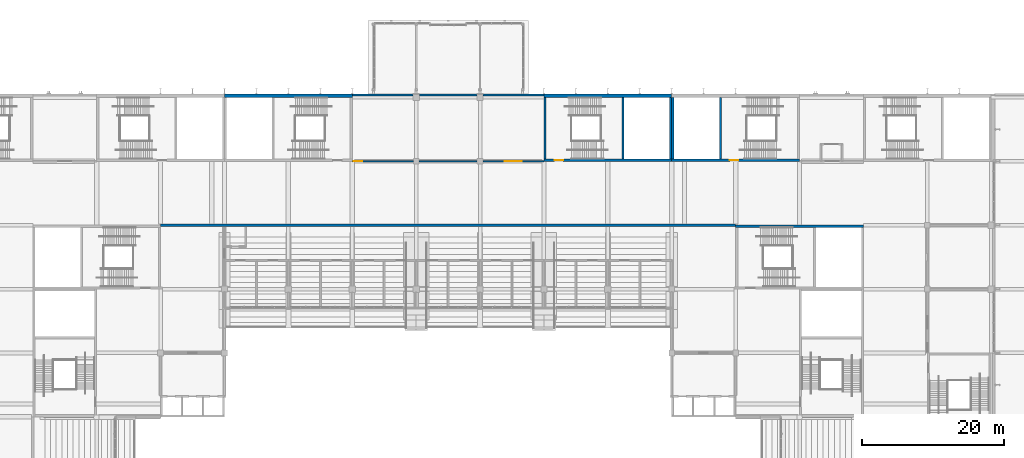
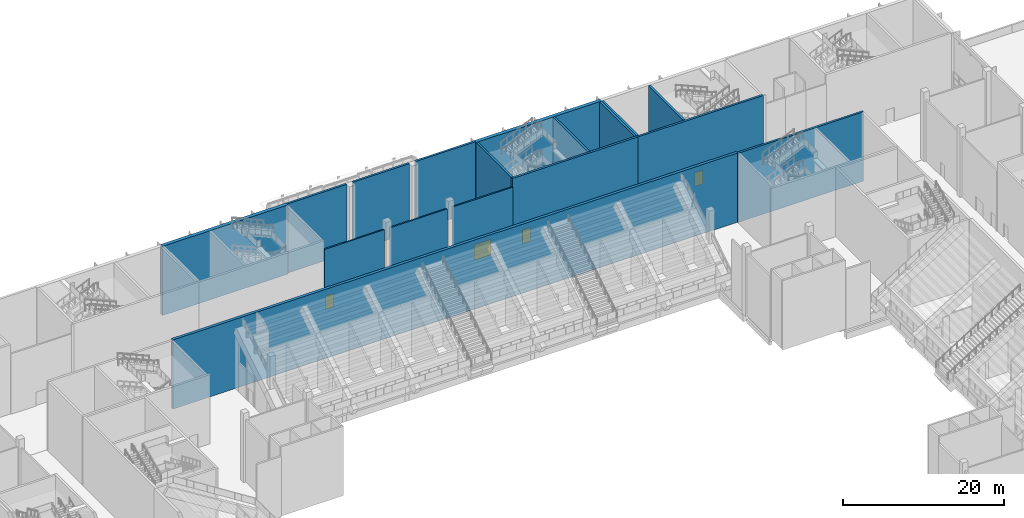
# One storey, part 94 of 182: 17 walls, 4 doors, 4 openings.
"""IFC4 building model written with IfcOpenShell, lengths in metres."""

from ifc_helpers import new_model, si_unit, direction, frame, frame_2d, origin, place, context, subcontext, project, spatial, rectangle, extrude, material, layer, layer_set, type_object, element, fill, save


model = new_model("IFC4")

# Units and contexts
model_context = context("Model", 3, precision=1e-05, world=origin(), true_north=direction((0.0, 1.0)))
body_context = subcontext(model_context, "Body", "Model", "MODEL_VIEW")
ifc_project = project(units=[si_unit("LENGTHUNIT", "METRE"), si_unit("AREAUNIT", "SQUARE_METRE"), si_unit("VOLUMEUNIT", "CUBIC_METRE"), si_unit("PLANEANGLEUNIT", "RADIAN"), si_unit("MASSUNIT", "GRAM", prefix="KILO")], contexts=[model_context])

# Site, building, storey
site_placement = place(None, origin())
site = spatial("IfcSite", under=ifc_project, at=site_placement, CompositionType="ELEMENT")
building_placement = place(site_placement, origin())
building = spatial("IfcBuilding", under=site, at=building_placement, Name="Silverbay Arena", CompositionType="ELEMENT")
storey_placement = place(building_placement, frame((0.0, 0.0, 11.5)))
storey = spatial("IfcBuildingStorey", under=building, at=storey_placement, Name="L02", CompositionType="ELEMENT", Elevation=11.5)

# Walls
ifc_material_1 = material(Name="Concrete Grade C45 precast, light finish", Category="concrete")
ifc_layer_1 = layer(ifc_material_1, 0.300048828125)
ifc_layer_set_1 = layer_set([ifc_layer_1], Name="Concrete Grade C45 precast, light finish")
wall_type_1 = type_object("IfcWallType", Name="Cladded external wall 300", PredefinedType="SOLIDWALL", material=ifc_layer_set_1)
wall_1_placement = place(storey_placement, frame((125.550048828125, 144.35009765625, 0.0), z_axis=(0.0, 0.0, 1.0), x_axis=(-1.0, 0.0, 0.0)))
element("IfcWall", 1, at=wall_1_placement, inside=storey, type_object=wall_type_1, Name="North external wall L02 bay 8", PredefinedType="SOLIDWALL", context=body_context, shape_type="SweptSolid", body=[
    extrude(rectangle(XDim=8.550048828125, YDim=0.300048828125, at=frame_2d((4.27490234375, 0.0))), origin(), (0.0, 0.0, 1.0), 10.5),
])
wall_2_placement = place(storey_placement, frame((134.550048828125, 144.35009765625, 0.0), z_axis=(0.0, 0.0, 1.0), x_axis=(-1.0, 0.0, 0.0)))
element("IfcWall", 2, at=wall_2_placement, inside=storey, type_object=wall_type_1, Name="North external wall L02 bay 9", PredefinedType="SOLIDWALL", context=body_context, shape_type="SweptSolid", body=[
    extrude(rectangle(XDim=8.10009765625, YDim=0.300048828125, at=frame_2d((4.050048828125, 0.0))), origin(), (0.0, 0.0, 1.0), 10.5),
])
wall_3_placement = place(storey_placement, frame((144.0, 144.35009765625, 0.0), z_axis=(0.0, 0.0, 1.0), x_axis=(-1.0, 0.0, 0.0)))
element("IfcWall", 3, at=wall_3_placement, inside=storey, type_object=wall_type_1, Name="North external wall L02 bay 10", PredefinedType="SOLIDWALL", context=body_context, shape_type="SweptSolid", body=[
    extrude(rectangle(XDim=8.550048828125, YDim=0.300048828125, at=frame_2d((4.27490234375, 0.0))), origin(), (0.0, 0.0, 1.0), 10.5),
])

# Wall, opening, door
ifc_material_2 = material(Name="Concrete Grade C45", Category="concrete")
ifc_layer_2 = layer(ifc_material_2, 0.300048828125)
ifc_layer_set_2 = layer_set([ifc_layer_2], Name="Concrete Grade C45")
wall_type_2 = type_object("IfcWallType", Name="Core wall RC 300 EI 120", PredefinedType="SHEAR", material=ifc_layer_set_2)
wall_4_placement = place(storey_placement, frame((144.0, 135.14990234375, 0.0), z_axis=(0.0, 0.0, 1.0), x_axis=(1.0, 0.0, 0.0)))
wall_4 = element("IfcWall", 4, at=wall_4_placement, inside=storey, type_object=wall_type_2, Name="Core wall ST-N3 L02 door side", PredefinedType="SHEAR", context=body_context, shape_type="SweptSolid", body=[
    extrude(rectangle(XDim=18.0, YDim=0.300048828125, at=frame_2d((9.0, 0.0))), origin(), (0.0, 0.0, 1.0), 10.5),
])
opening_1_placement = place(wall_4_placement, frame((1.5, 0.0, 0.0)))
opening_1 = element("IfcOpeningElement", 5, at=opening_1_placement, cuts=wall_4, Name="Opening L02-081", PredefinedType="OPENING", context=body_context, shape_type="SweptSolid", body=[
    extrude(rectangle(XDim=1.199951171875, YDim=2.10009765625, at=frame_2d((0.60009765625, 1.050048828125))), frame((0.0, 0.16015625, 0.0), z_axis=(0.0, -1.0, 0.0), x_axis=(1.0, 0.0, 0.0)), (0.0, 0.0, 1.0), 0.320068359375),
])
ifc_material_3 = material(Name="Steel fire door", Category="steel")
door_type_1 = type_object("IfcDoorType", Name="Stair door 1200 x 2100 fire door", OperationType="SINGLE_SWING_LEFT", PredefinedType="DOOR", material=ifc_material_3)
door_1_placement = place(opening_1_placement, origin())
door_1 = element("IfcDoor", 6, at=door_1_placement, inside=storey, type_object=door_type_1, Name="Stair door ST-N3 L02", OperationType="SINGLE_SWING_LEFT", OverallHeight=2.10009765625, OverallWidth=1.199951171875, PredefinedType="DOOR", context=body_context, shape_type="SweptSolid", body=[
    extrude(rectangle(XDim=1.199951171875, YDim=2.10009765625, at=frame_2d((0.60009765625, 1.050048828125))), frame((0.0, 0.02490234375, 0.0), z_axis=(0.0, -1.0, 0.0), x_axis=(1.0, 0.0, 0.0)), (0.0, 0.0, 1.0), 0.050048828125),
])
fill(opening_1, door_1)

# Walls
for number, where, z_axis, x_axis, name in (
    (7, (144.14990234375, 135.300048828125, 0.0), (0.0, 0.0, 1.0), (0.0, 1.0, 0.0), "Core wall ST-N3 L02 end 1"),
    (8, (161.85009765625, 135.300048828125, 0.0), (0.0, 0.0, 1.0), (0.0, 1.0, 0.0), "Core wall ST-N3 L02 end 2"),
    (9, (155.14990234375, 135.300048828125, 0.0), (0.0, 0.0, 1.0), (0.0, 1.0, 0.0), "Core wall ST-N3 L02 stair enclosure"),
):
    element("IfcWall", number, at=place(storey_placement, frame(where, z_axis=z_axis, x_axis=x_axis)), inside=storey, type_object=wall_type_2, Name=name, PredefinedType="SHEAR", context=body_context, shape_type="SweptSolid", body=[
        extrude(rectangle(XDim=8.699951171875, YDim=0.300048828125, at=frame_2d((4.35009765625, 0.0))), origin(), (0.0, 0.0, 1.0), 10.5),
    ])

# Wall, opening, door
wall_5_placement = place(storey_placement, frame((180.0, 135.14990234375, 0.0), z_axis=(0.0, 0.0, 1.0), x_axis=(-1.0, 0.0, 0.0)))
wall_5 = element("IfcWall", 10, at=wall_5_placement, inside=storey, type_object=wall_type_2, Name="Core wall ST-N4 L02 door side", PredefinedType="SHEAR", context=body_context, shape_type="SweptSolid", body=[
    extrude(rectangle(XDim=18.0, YDim=0.300048828125, at=frame_2d((9.0, 0.0))), origin(), (0.0, 0.0, 1.0), 10.5),
])
opening_2_placement = place(wall_5_placement, frame((8.60009765625, 0.0, 0.0)))
opening_2 = element("IfcOpeningElement", 11, at=opening_2_placement, cuts=wall_5, Name="Opening L02-082", PredefinedType="OPENING", context=body_context, shape_type="SweptSolid", body=[
    extrude(rectangle(XDim=1.199951171875, YDim=2.10009765625, at=frame_2d((0.60009765625, 1.050048828125))), frame((0.0, 0.16015625, 0.0), z_axis=(0.0, -1.0, 0.0), x_axis=(1.0, 0.0, 0.0)), (0.0, 0.0, 1.0), 0.320068359375),
])
door_2_placement = place(opening_2_placement, frame((1.199951171875, 0.0, 0.0), z_axis=(0.0, 0.0, 1.0), x_axis=(-1.0, 0.0, 0.0)))
door_2 = element("IfcDoor", 12, at=door_2_placement, inside=storey, type_object=door_type_1, Name="Stair door ST-N4 L02", OperationType="SINGLE_SWING_LEFT", OverallHeight=2.10009765625, OverallWidth=1.199951171875, PredefinedType="DOOR", context=body_context, shape_type="SweptSolid", body=[
    extrude(rectangle(XDim=1.199951171875, YDim=2.10009765625, at=frame_2d((0.60009765625, 1.050048828125))), frame((0.0, 0.02490234375, 0.0), z_axis=(0.0, -1.0, 0.0), x_axis=(1.0, 0.0, 0.0)), (0.0, 0.0, 1.0), 0.050048828125),
])
fill(opening_2, door_2)

# Walls
for number, where, z_axis, x_axis, name in (
    (13, (162.14990234375, 135.300048828125, 0.0), (0.0, 0.0, 1.0), (0.0, 1.0, 0.0), "Core wall ST-N4 L02 end 2"),
    (14, (168.85009765625, 135.300048828125, 0.0), (0.0, 0.0, 1.0), (0.0, 1.0, 0.0), "Core wall ST-N4 L02 stair enclosure"),
):
    element("IfcWall", number, at=place(storey_placement, frame(where, z_axis=z_axis, x_axis=x_axis)), inside=storey, type_object=wall_type_2, Name=name, PredefinedType="SHEAR", context=body_context, shape_type="SweptSolid", body=[
        extrude(rectangle(XDim=8.699951171875, YDim=0.300048828125, at=frame_2d((4.35009765625, 0.0))), origin(), (0.0, 0.0, 1.0), 10.5),
    ])
wall_6_placement = place(storey_placement, frame((171.0, 125.85009765625, 0.0), z_axis=(0.0, 0.0, 1.0), x_axis=(1.0, 0.0, 0.0)))
element("IfcWall", 15, at=wall_6_placement, inside=storey, type_object=wall_type_2, Name="Core wall ST-NE1 L02 far side", PredefinedType="SHEAR", context=body_context, shape_type="SweptSolid", body=[
    extrude(rectangle(XDim=18.0, YDim=0.300048828125, at=frame_2d((9.0, 0.0))), origin(), (0.0, 0.0, 1.0), 10.5),
])
ifc_material_4 = material(Name="Concrete Grade C45", Category="concrete")
ifc_layer_3 = layer(ifc_material_4, 0.5)
ifc_layer_set_3 = layer_set([ifc_layer_3], Name="Concrete Grade C45")
wall_type_3 = type_object("IfcWallType", Name="Core wall RC 500 external EI 120", PredefinedType="SHEAR", material=ifc_layer_set_3)
for number, where, z_axis, x_axis, name in (
    (16, (117.0, 144.25, 0.0), (0.0, 0.0, 1.0), (-1.0, 0.0, 0.0), "Core wall ST-N2 L02 facade side"),
    (17, (144.0, 144.25, 0.0), (0.0, 0.0, 1.0), (1.0, 0.0, 0.0), "Core wall ST-N3 L02 facade side"),
):
    element("IfcWall", number, at=place(storey_placement, frame(where, z_axis=z_axis, x_axis=x_axis)), inside=storey, type_object=wall_type_3, Name=name, PredefinedType="SHEAR", context=body_context, shape_type="SweptSolid", body=[
        extrude(rectangle(XDim=18.0, YDim=0.5, at=frame_2d((9.0, 0.0))), origin(), (0.0, 0.0, 1.0), 10.5),
    ])

# Wall, opening, door
ifc_material_5 = material(Name="Masonry blockwork partition", Category="masonry")
ifc_layer_4 = layer(ifc_material_5, 0.199951171875)
ifc_layer_set_4 = layer_set([ifc_layer_4], Name="Masonry blockwork partition")
wall_type_4 = type_object("IfcWallType", Name="Partition 200 EI 120", PredefinedType="PARTITIONING", material=ifc_layer_set_4)
wall_7_placement = place(storey_placement, frame((135.39990234375, 135.0, 0.0), z_axis=(0.0, 0.0, 1.0), x_axis=(1.0, 0.0, 0.0)))
wall_7 = element("IfcWall", 18, at=wall_7_placement, inside=storey, type_object=wall_type_4, Name="Partition wall", PredefinedType="PARTITIONING", context=body_context, shape_type="SweptSolid", body=[
    extrude(rectangle(XDim=8.60009765625, YDim=0.199951171875, at=frame_2d((4.300048828125, 0.0))), origin(), (0.0, 0.0, 1.0), 9.25),
])
opening_3_placement = place(wall_7_placement, frame((3.10009765625, 0.0, 0.0)))
opening_3 = element("IfcOpeningElement", 19, at=opening_3_placement, cuts=wall_7, Name="Opening L02-005", PredefinedType="OPENING", context=body_context, shape_type="SweptSolid", body=[
    extrude(rectangle(XDim=2.39990234375, YDim=2.39990234375, at=frame_2d((1.199951171875, 1.199951171875))), frame((0.0, 0.10986328125, 0.0), z_axis=(0.0, -1.0, 0.0), x_axis=(1.0, 0.0, 0.0)), (0.0, 0.0, 1.0), 0.219970703125),
])
ifc_material_6 = material(Name="Steel faced timber", Category="steel")
door_type_2 = type_object("IfcDoorType", Name="Double leaf door 2400 x 2400 FD120", OperationType="DOUBLE_DOOR_DOUBLE_SWING", PredefinedType="DOOR", material=ifc_material_6)
door_3_placement = place(opening_3_placement, frame((2.39990234375, 0.0, 0.0), z_axis=(0.0, 0.0, 1.0), x_axis=(-1.0, 0.0, 0.0)))
door_3 = element("IfcDoor", 20, at=door_3_placement, inside=storey, type_object=door_type_2, Name="Door L02-005", OperationType="DOUBLE_DOOR_DOUBLE_SWING", OverallHeight=2.39990234375, OverallWidth=2.39990234375, PredefinedType="DOOR", context=body_context, shape_type="SweptSolid", body=[
    extrude(rectangle(XDim=2.39990234375, YDim=2.39990234375, at=frame_2d((1.199951171875, 1.199951171875))), frame((0.0, 0.02490234375, 0.0), z_axis=(0.0, -1.0, 0.0), x_axis=(1.0, 0.0, 0.0)), (0.0, 0.0, 1.0), 0.050048828125),
])
fill(opening_3, door_3)

# Wall
wall_8_placement = place(storey_placement, frame((126.39990234375, 135.0, 0.0), z_axis=(0.0, 0.0, 1.0), x_axis=(1.0, 0.0, 0.0)))
element("IfcWall", 21, at=wall_8_placement, inside=storey, type_object=wall_type_4, Name="Partition wall", PredefinedType="PARTITIONING", context=body_context, shape_type="SweptSolid", body=[
    extrude(rectangle(XDim=8.2001953125, YDim=0.199951171875, at=frame_2d((4.10009765625, 0.0))), origin(), (0.0, 0.0, 1.0), 9.25),
])

# Wall, opening, door
wall_9_placement = place(storey_placement, frame((117.0, 135.0, 0.0), z_axis=(0.0, 0.0, 1.0), x_axis=(1.0, 0.0, 0.0)))
wall_9 = element("IfcWall", 22, at=wall_9_placement, inside=storey, type_object=wall_type_4, Name="Partition wall", PredefinedType="PARTITIONING", context=body_context, shape_type="SweptSolid", body=[
    extrude(rectangle(XDim=8.60009765625, YDim=0.199951171875, at=frame_2d((4.300048828125, 0.0))), origin(), (0.0, 0.0, 1.0), 9.25),
])
opening_4_placement = place(wall_9_placement, frame((0.199951171875, 0.0, 0.0)))
opening_4 = element("IfcOpeningElement", 23, at=opening_4_placement, cuts=wall_9, Name="Opening L02-068", PredefinedType="OPENING", context=body_context, shape_type="SweptSolid", body=[
    extrude(rectangle(XDim=1.199951171875, YDim=2.10009765625, at=frame_2d((0.60009765625, 1.050048828125))), frame((0.0, 0.10986328125, 0.0), z_axis=(0.0, -1.0, 0.0), x_axis=(1.0, 0.0, 0.0)), (0.0, 0.0, 1.0), 0.219970703125),
])
ifc_material_7 = material(Name="Steel faced timber", Category="steel")
door_type_3 = type_object("IfcDoorType", Name="Double leaf door 1200 x 2100 FD120", OperationType="DOUBLE_DOOR_DOUBLE_SWING", PredefinedType="DOOR", material=ifc_material_7)
door_4_placement = place(opening_4_placement, frame((1.199951171875, 0.0, 0.0), z_axis=(0.0, 0.0, 1.0), x_axis=(-1.0, 0.0, 0.0)))
door_4 = element("IfcDoor", 24, at=door_4_placement, inside=storey, type_object=door_type_3, Name="Door L02-068", OperationType="DOUBLE_DOOR_DOUBLE_SWING", OverallHeight=2.10009765625, OverallWidth=1.199951171875, PredefinedType="DOOR", context=body_context, shape_type="SweptSolid", body=[
    extrude(rectangle(XDim=1.199951171875, YDim=2.10009765625, at=frame_2d((0.60009765625, 1.050048828125))), frame((0.0, 0.02490234375, 0.0), z_axis=(0.0, -1.0, 0.0), x_axis=(1.0, 0.0, 0.0)), (0.0, 0.0, 1.0), 0.050048828125),
])
fill(opening_4, door_4)

# Wall
ifc_material_8 = material(Name="Concrete Grade C45", Category="concrete")
ifc_layer_5 = layer(ifc_material_8, 0.39990234375)
ifc_layer_set_5 = layer_set([ifc_layer_5], Name="Concrete Grade C45")
wall_type_5 = type_object("IfcWallType", Name="RC back wall 400 EI 120", PredefinedType="SOLIDWALL", material=ifc_layer_set_5)
wall_10_placement = place(storey_placement, frame((171.0, 126.0, 0.0), z_axis=(0.0, 0.0, 1.0), x_axis=(-1.0, 0.0, 0.0)))
element("IfcWall", 25, at=wall_10_placement, inside=storey, type_object=wall_type_5, Name="Bowl back wall L02 03", PredefinedType="SOLIDWALL", context=body_context, shape_type="SweptSolid", body=[
    extrude(rectangle(XDim=81.0, YDim=0.39990234375, at=frame_2d((40.5, 0.0))), origin(), (0.0, 0.0, 1.0), 10.5),
])

save(model, "model.ifc")
